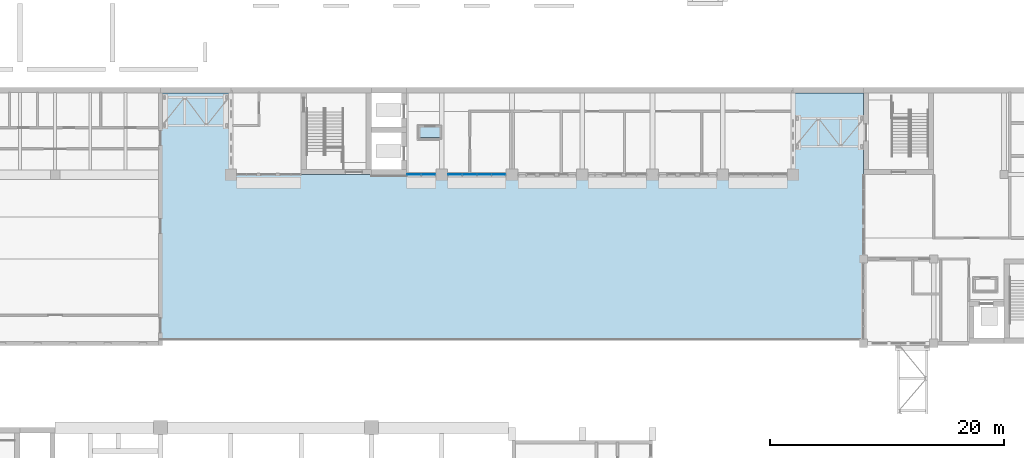
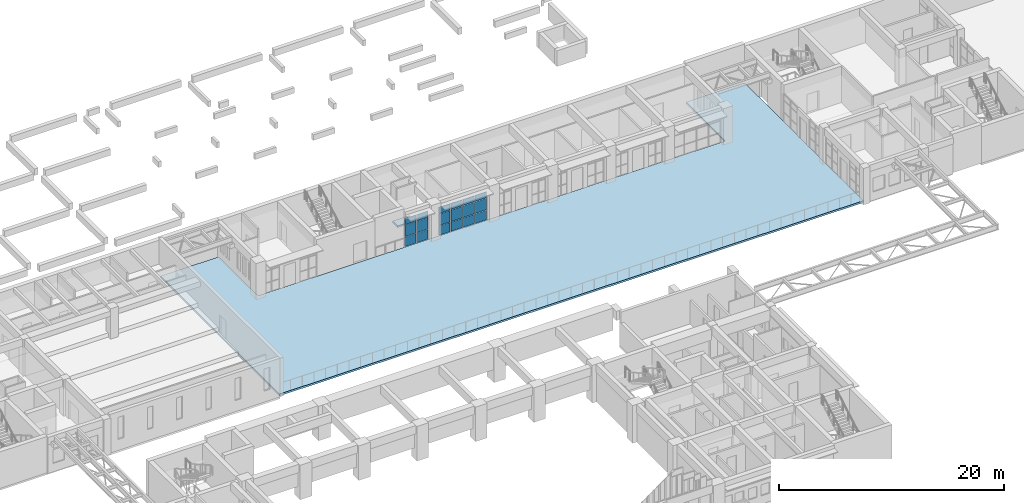
# One storey, part 50 of 103: 18 plates, 2 slabs, 2 elements without a shape of their own.
"""IFC4 building model written with IfcOpenShell, lengths in metres."""

from ifc_helpers import new_model, si_unit, direction, frame, origin, origin_2d, place, context, subcontext, project, spatial, polyline, rectangle, outline, extrude, material, layer, layer_set, type_object, element, aggregate, save


model = new_model("IFC4")

# Units and contexts
model_context = context("Model", 3, precision=1e-05, world=origin(), true_north=direction((0.0, 1.0)))
body_context = subcontext(model_context, "Body", "Model", "MODEL_VIEW")
ifc_project = project(units=[si_unit("LENGTHUNIT", "METRE"), si_unit("AREAUNIT", "SQUARE_METRE"), si_unit("VOLUMEUNIT", "CUBIC_METRE"), si_unit("PLANEANGLEUNIT", "RADIAN"), si_unit("MASSUNIT", "GRAM", prefix="KILO")], contexts=[model_context])

# Site, building, storey
site_placement = place(None, origin())
site = spatial("IfcSite", under=ifc_project, at=site_placement, CompositionType="ELEMENT")
building_placement = place(site_placement, origin())
building = spatial("IfcBuilding", under=site, at=building_placement, Name="Laocheng Heights Fire and Rescue Headquarters", CompositionType="ELEMENT")
storey_placement = place(building_placement, frame((0.0, 0.0, 4.199951171875)))
storey = spatial("IfcBuildingStorey", under=building, at=storey_placement, Name="L01", CompositionType="ELEMENT", Elevation=4.199951171875)

# Curtain wall, plates
ifc_material_1 = material(Name="Dark anodised aluminium unitised curtain wall, low-e double glazing", Category="aluminium")
curtain_wall_type_1 = type_object("IfcCurtainWallType", Name="CW 2500 x 3150 HQ SOUTH RIBBON", PredefinedType="NOTDEFINED", material=ifc_material_1)
curtain_wall_1_placement = place(storey_placement, origin())
curtain_wall_1 = element("IfcCurtainWall", 1, at=curtain_wall_1_placement, inside=storey, type_object=curtain_wall_type_1, Name="X3-X HQ SOUTH L01", PredefinedType="NOTDEFINED")
ifc_material_2 = material(Name="Low-e double glazed unit, laminated inner pane")
ifc_layer_1 = layer(ifc_material_2, 0.028076171875)
ifc_layer_set_1 = layer_set([ifc_layer_1], Name="Low-e double glazed unit, laminated inner pane")
plate_type = type_object("IfcPlateType", Name="CW VISION PANEL 28 X", PredefinedType="CURTAIN_PANEL", material=ifc_layer_set_1)
plate_1_placement = place(storey_placement, frame((51.639892578125, 50.39990234375, 0.050048828125), z_axis=(0.0, 0.0, 1.0), x_axis=(1.0, 0.0, 0.0)))
plate_1 = element("IfcPlate", 2, at=plate_1_placement, type_object=plate_type, Name="X3-X panel 1.1", PredefinedType="CURTAIN_PANEL", context=body_context, shape_type="SweptSolid", body=[
    extrude(rectangle(XDim=1.159912109375, YDim=0.028076171875, at=origin_2d()), origin(), (0.0, 0.0, 1.0), 1.02490234375),
])
plate_2_placement = place(storey_placement, frame((51.639892578125, 50.39990234375, 1.125), z_axis=(0.0, 0.0, 1.0), x_axis=(1.0, 0.0, 0.0)))
plate_2 = element("IfcPlate", 3, at=plate_2_placement, type_object=plate_type, Name="X3-X panel 1.2", PredefinedType="CURTAIN_PANEL", context=body_context, shape_type="SweptSolid", body=[
    extrude(rectangle(XDim=1.159912109375, YDim=0.028076171875, at=origin_2d()), origin(), (0.0, 0.0, 1.0), 1.25),
])
plate_3_placement = place(storey_placement, frame((51.639892578125, 50.39990234375, 2.4248046875), z_axis=(0.0, 0.0, 1.0), x_axis=(1.0, 0.0, 0.0)))
plate_3 = element("IfcPlate", 4, at=plate_3_placement, type_object=plate_type, Name="X3-X panel 1.3", PredefinedType="CURTAIN_PANEL", context=body_context, shape_type="SweptSolid", body=[
    extrude(rectangle(XDim=1.159912109375, YDim=0.028076171875, at=origin_2d()), origin(), (0.0, 0.0, 1.0), 0.675048828125),
])
plate_4_placement = place(storey_placement, frame((52.860107421875, 50.39990234375, 0.050048828125), z_axis=(0.0, 0.0, 1.0), x_axis=(1.0, 0.0, 0.0)))
plate_4 = element("IfcPlate", 5, at=plate_4_placement, type_object=plate_type, Name="X3-X panel 2.1", PredefinedType="CURTAIN_PANEL", context=body_context, shape_type="SweptSolid", body=[
    extrude(rectangle(XDim=1.159912109375, YDim=0.028076171875, at=origin_2d()), origin(), (0.0, 0.0, 1.0), 1.02490234375),
])
plate_5_placement = place(storey_placement, frame((52.860107421875, 50.39990234375, 1.125), z_axis=(0.0, 0.0, 1.0), x_axis=(1.0, 0.0, 0.0)))
plate_5 = element("IfcPlate", 6, at=plate_5_placement, type_object=plate_type, Name="X3-X panel 2.2", PredefinedType="CURTAIN_PANEL", context=body_context, shape_type="SweptSolid", body=[
    extrude(rectangle(XDim=1.159912109375, YDim=0.028076171875, at=origin_2d()), origin(), (0.0, 0.0, 1.0), 1.25),
])
plate_6_placement = place(storey_placement, frame((52.860107421875, 50.39990234375, 2.4248046875), z_axis=(0.0, 0.0, 1.0), x_axis=(1.0, 0.0, 0.0)))
plate_6 = element("IfcPlate", 7, at=plate_6_placement, type_object=plate_type, Name="X3-X panel 2.3", PredefinedType="CURTAIN_PANEL", context=body_context, shape_type="SweptSolid", body=[
    extrude(rectangle(XDim=1.159912109375, YDim=0.028076171875, at=origin_2d()), origin(), (0.0, 0.0, 1.0), 0.675048828125),
])
aggregate(curtain_wall_1, [plate_1, plate_2, plate_3, plate_4, plate_5, plate_6])

ifc_material_3 = material(Name="Dark anodised aluminium unitised curtain wall, low-e double glazing", Category="aluminium")
curtain_wall_type_2 = type_object("IfcCurtainWallType", Name="CW 5000 x 3150 HQ SOUTH RIBBON", PredefinedType="NOTDEFINED", material=ifc_material_3)
curtain_wall_2_placement = place(storey_placement, origin())
curtain_wall_2 = element("IfcCurtainWall", 8, at=curtain_wall_2_placement, inside=storey, type_object=curtain_wall_type_2, Name="X4-X HQ SOUTH L01", PredefinedType="NOTDEFINED")
plate_7_placement = place(storey_placement, frame((55.139892578125, 50.39990234375, 0.050048828125), z_axis=(0.0, 0.0, 1.0), x_axis=(1.0, 0.0, 0.0)))
plate_7 = element("IfcPlate", 9, at=plate_7_placement, type_object=plate_type, Name="X4-X panel 1.1", PredefinedType="CURTAIN_PANEL", context=body_context, shape_type="SweptSolid", body=[
    extrude(rectangle(XDim=1.159912109375, YDim=0.028076171875, at=origin_2d()), origin(), (0.0, 0.0, 1.0), 1.02490234375),
])
plate_8_placement = place(storey_placement, frame((55.139892578125, 50.39990234375, 1.125), z_axis=(0.0, 0.0, 1.0), x_axis=(1.0, 0.0, 0.0)))
plate_8 = element("IfcPlate", 10, at=plate_8_placement, type_object=plate_type, Name="X4-X panel 1.2", PredefinedType="CURTAIN_PANEL", context=body_context, shape_type="SweptSolid", body=[
    extrude(rectangle(XDim=1.159912109375, YDim=0.028076171875, at=origin_2d()), origin(), (0.0, 0.0, 1.0), 1.25),
])
plate_9_placement = place(storey_placement, frame((55.139892578125, 50.39990234375, 2.4248046875), z_axis=(0.0, 0.0, 1.0), x_axis=(1.0, 0.0, 0.0)))
plate_9 = element("IfcPlate", 11, at=plate_9_placement, type_object=plate_type, Name="X4-X panel 1.3", PredefinedType="CURTAIN_PANEL", context=body_context, shape_type="SweptSolid", body=[
    extrude(rectangle(XDim=1.159912109375, YDim=0.028076171875, at=origin_2d()), origin(), (0.0, 0.0, 1.0), 0.675048828125),
])
plate_10_placement = place(storey_placement, frame((56.375, 50.39990234375, 0.050048828125), z_axis=(0.0, 0.0, 1.0), x_axis=(1.0, 0.0, 0.0)))
plate_10 = element("IfcPlate", 12, at=plate_10_placement, type_object=plate_type, Name="X4-X panel 2.1", PredefinedType="CURTAIN_PANEL", context=body_context, shape_type="SweptSolid", body=[
    extrude(rectangle(XDim=1.18994140625, YDim=0.028076171875, at=origin_2d()), origin(), (0.0, 0.0, 1.0), 1.02490234375),
])
plate_11_placement = place(storey_placement, frame((56.375, 50.39990234375, 1.125), z_axis=(0.0, 0.0, 1.0), x_axis=(1.0, 0.0, 0.0)))
plate_11 = element("IfcPlate", 13, at=plate_11_placement, type_object=plate_type, Name="X4-X panel 2.2", PredefinedType="CURTAIN_PANEL", context=body_context, shape_type="SweptSolid", body=[
    extrude(rectangle(XDim=1.18994140625, YDim=0.028076171875, at=origin_2d()), origin(), (0.0, 0.0, 1.0), 1.25),
])
plate_12_placement = place(storey_placement, frame((56.375, 50.39990234375, 2.4248046875), z_axis=(0.0, 0.0, 1.0), x_axis=(1.0, 0.0, 0.0)))
plate_12 = element("IfcPlate", 14, at=plate_12_placement, type_object=plate_type, Name="X4-X panel 2.3", PredefinedType="CURTAIN_PANEL", context=body_context, shape_type="SweptSolid", body=[
    extrude(rectangle(XDim=1.18994140625, YDim=0.028076171875, at=origin_2d()), origin(), (0.0, 0.0, 1.0), 0.675048828125),
])
plate_13_placement = place(storey_placement, frame((57.625, 50.39990234375, 0.050048828125), z_axis=(0.0, 0.0, 1.0), x_axis=(1.0, 0.0, 0.0)))
plate_13 = element("IfcPlate", 15, at=plate_13_placement, type_object=plate_type, Name="X4-X panel 3.1", PredefinedType="CURTAIN_PANEL", context=body_context, shape_type="SweptSolid", body=[
    extrude(rectangle(XDim=1.18994140625, YDim=0.028076171875, at=origin_2d()), origin(), (0.0, 0.0, 1.0), 1.02490234375),
])
plate_14_placement = place(storey_placement, frame((57.625, 50.39990234375, 1.125), z_axis=(0.0, 0.0, 1.0), x_axis=(1.0, 0.0, 0.0)))
plate_14 = element("IfcPlate", 16, at=plate_14_placement, type_object=plate_type, Name="X4-X panel 3.2", PredefinedType="CURTAIN_PANEL", context=body_context, shape_type="SweptSolid", body=[
    extrude(rectangle(XDim=1.18994140625, YDim=0.028076171875, at=origin_2d()), origin(), (0.0, 0.0, 1.0), 1.25),
])
plate_15_placement = place(storey_placement, frame((57.625, 50.39990234375, 2.4248046875), z_axis=(0.0, 0.0, 1.0), x_axis=(1.0, 0.0, 0.0)))
plate_15 = element("IfcPlate", 17, at=plate_15_placement, type_object=plate_type, Name="X4-X panel 3.3", PredefinedType="CURTAIN_PANEL", context=body_context, shape_type="SweptSolid", body=[
    extrude(rectangle(XDim=1.18994140625, YDim=0.028076171875, at=origin_2d()), origin(), (0.0, 0.0, 1.0), 0.675048828125),
])
plate_16_placement = place(storey_placement, frame((58.860107421875, 50.39990234375, 0.050048828125), z_axis=(0.0, 0.0, 1.0), x_axis=(1.0, 0.0, 0.0)))
plate_16 = element("IfcPlate", 18, at=plate_16_placement, type_object=plate_type, Name="X4-X panel 4.1", PredefinedType="CURTAIN_PANEL", context=body_context, shape_type="SweptSolid", body=[
    extrude(rectangle(XDim=1.159912109375, YDim=0.028076171875, at=origin_2d()), origin(), (0.0, 0.0, 1.0), 1.02490234375),
])
plate_17_placement = place(storey_placement, frame((58.860107421875, 50.39990234375, 1.125), z_axis=(0.0, 0.0, 1.0), x_axis=(1.0, 0.0, 0.0)))
plate_17 = element("IfcPlate", 19, at=plate_17_placement, type_object=plate_type, Name="X4-X panel 4.2", PredefinedType="CURTAIN_PANEL", context=body_context, shape_type="SweptSolid", body=[
    extrude(rectangle(XDim=1.159912109375, YDim=0.028076171875, at=origin_2d()), origin(), (0.0, 0.0, 1.0), 1.25),
])
plate_18_placement = place(storey_placement, frame((58.860107421875, 50.39990234375, 2.4248046875), z_axis=(0.0, 0.0, 1.0), x_axis=(1.0, 0.0, 0.0)))
plate_18 = element("IfcPlate", 20, at=plate_18_placement, type_object=plate_type, Name="X4-X panel 4.3", PredefinedType="CURTAIN_PANEL", context=body_context, shape_type="SweptSolid", body=[
    extrude(rectangle(XDim=1.159912109375, YDim=0.028076171875, at=origin_2d()), origin(), (0.0, 0.0, 1.0), 0.675048828125),
])
aggregate(curtain_wall_2, [plate_7, plate_8, plate_9, plate_10, plate_11, plate_12, plate_13, plate_14, plate_15, plate_16, plate_17, plate_18])

# Slabs
ifc_material_4 = material(Name="Concrete C35", Category="concrete")
ifc_layer_2 = layer(ifc_material_4, 0.199951171875)
ifc_layer_set_2 = layer_set([ifc_layer_2], Name="Concrete C35")
slab_type_1 = type_object("IfcSlabType", Name="RC PAVING SLAB ON FILL 200 COURT PAVING", PredefinedType="BASESLAB", material=ifc_layer_set_2)
slab_1_placement = place(storey_placement, frame((0.0, 0.0, -0.199951171875)))
element("IfcSlab", 21, at=slab_1_placement, inside=storey, type_object=slab_type_1, Name="Site slab SL6 Court Paving", PredefinedType="BASESLAB", context=body_context, shape_type="SweptSolid", body=[
    extrude(outline(polyline([(30.0, 36.22509765625), (90.0, 36.22509765625), (90.0, 57.375), (84.0, 57.375), (84.0, 50.39990234375), (36.0, 50.39990234375), (36.0, 57.375), (30.0, 57.375), (30.0, 36.22509765625)])), origin(), (0.0, 0.0, 1.0), 0.199951171875),
])
ifc_material_5 = material(Name="Concrete C30", Category="concrete")
ifc_layer_3 = layer(ifc_material_5, 0.179931640625)
ifc_layer_set_3 = layer_set([ifc_layer_3], Name="Concrete C30")
slab_type_2 = type_object("IfcSlabType", Name="RISER FLOOR SLAB 180", PredefinedType="FLOOR", material=ifc_layer_set_3)
slab_2_placement = place(storey_placement, frame((0.0, 0.0, -0.179931640625)))
element("IfcSlab", 22, at=slab_2_placement, inside=storey, type_object=slab_type_2, Name="Riser floor slab RH1", PredefinedType="FLOOR", context=body_context, shape_type="SweptSolid", body=[
    extrude(outline(polyline([(52.14990234375, 54.449951171875), (52.14990234375, 53.550048828125), (53.85009765625, 53.550048828125), (53.85009765625, 54.449951171875), (52.14990234375, 54.449951171875)])), origin(), (0.0, 0.0, 1.0), 0.179931640625),
])

save(model, "model.ifc")
